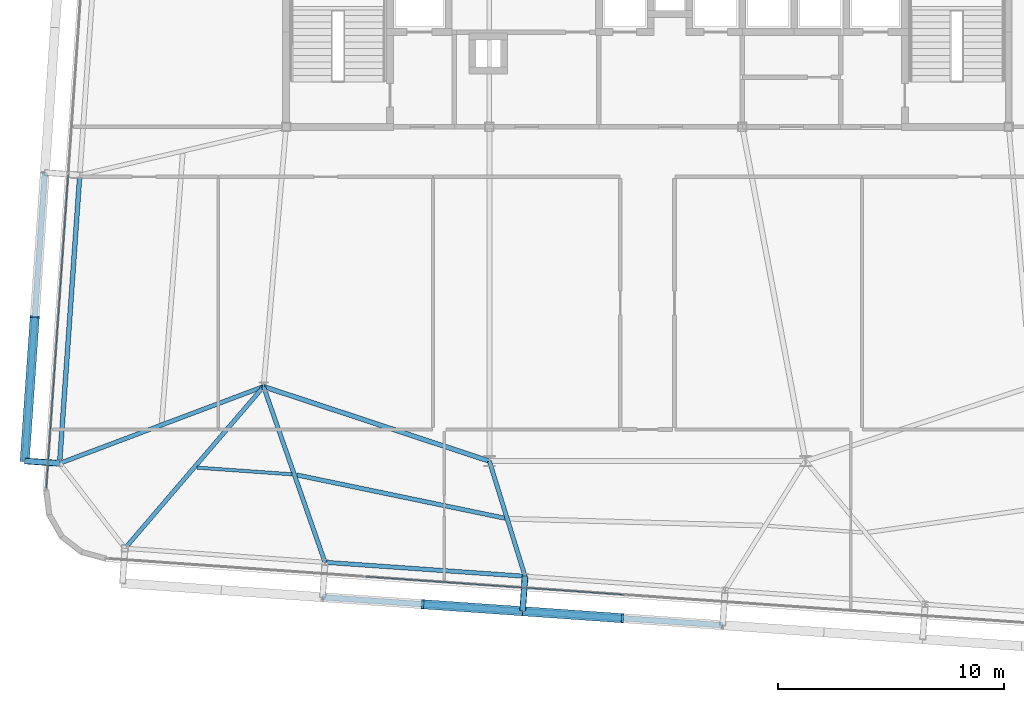
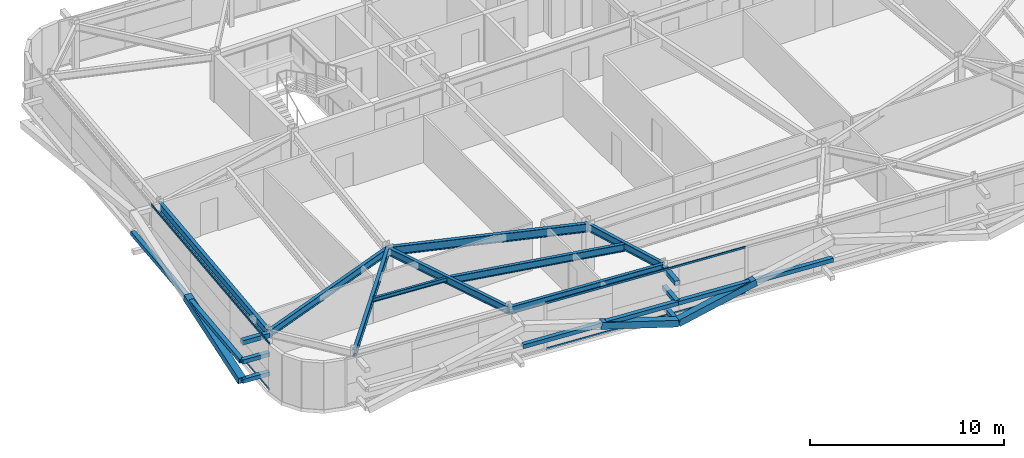
# One storey, part 8 of 39: 16 members, 9 beams, 2 elements without a shape of their own.
"""IFC4 building model written with IfcOpenShell, lengths in metres."""

from ifc_helpers import new_model, si_unit, direction, frame, origin, origin_2d, place, context, subcontext, project, spatial, hollow_rectangle, i_section, extrude, source, transform, mapped, material, layer, layer_set, material_profile, profile_set, type_object, element, aggregate, save


model = new_model("IFC4")

# Units and contexts
model_context = context("Model", 3, precision=1e-05, world=origin(), true_north=direction((0.0, 1.0)))
body_context = subcontext(model_context, "Body", "Model", "MODEL_VIEW")
ifc_project = project(units=[si_unit("LENGTHUNIT", "METRE"), si_unit("AREAUNIT", "SQUARE_METRE"), si_unit("VOLUMEUNIT", "CUBIC_METRE"), si_unit("PLANEANGLEUNIT", "RADIAN"), si_unit("MASSUNIT", "GRAM", prefix="KILO")], contexts=[model_context])

# Site, building, storey
site_placement = place(None, origin())
site = spatial("IfcSite", under=ifc_project, at=site_placement, CompositionType="ELEMENT")
building_placement = place(site_placement, origin())
building = spatial("IfcBuilding", under=site, at=building_placement, Name="Taldren Reach Tower", CompositionType="ELEMENT")
storey_placement = place(building_placement, frame((0.0, 0.0, 126.699951171875)))
storey = spatial("IfcBuildingStorey", under=building, at=storey_placement, Name="L38", CompositionType="ELEMENT", Elevation=126.699951171875)

# Beam
ifc_material_1 = material(Name="Steel Gr 350 (350PLUS)", Category="steel")
ifc_material_profile_1 = material_profile(ifc_material_1, i_section(OverallWidth=0.208984375, OverallDepth=0.532958984375, WebThickness=0.01025390625, FlangeThickness=0.015625, at=origin_2d()), Name="530UB92.4")
ifc_profile_set_1 = profile_set([ifc_material_profile_1], Name="Steel Gr 350 (350PLUS)")
beam_type_1 = type_object("IfcBeamType", Name="BM-UB530A", PredefinedType="BEAM", material=ifc_profile_set_1)
shared_shape_1 = source(origin(), body_context, "Body", "SweptSolid", [
    extrude(i_section(OverallWidth=0.208984375, OverallDepth=0.532958984375, WebThickness=0.01025390625, FlangeThickness=0.015625, at=origin_2d()), origin(), (0.0, 0.0, 1.0), 10.530517578125),
])
beam_1_placement = place(storey_placement, frame((18.0, 12.5, 2.66357421875), z_axis=(0.949627269203, -0.313381635689, 0.0), x_axis=(0.313381635689, 0.949627269203, 0.0)))
element("IfcBeam", 1, at=beam_1_placement, inside=storey, type_object=beam_type_1, Name="Core-spine girder L38-SP10", PredefinedType="BEAM", context=body_context, shape_type="MappedRepresentation", body=[
    mapped(shared_shape_1, transform((0.0, 0.0, 0.0), scale=1.0)),
])

# Members
ifc_material_2 = material(Name="Steel Gr 450 (C450L0)", Category="steel")
ifc_material_profile_2 = material_profile(ifc_material_2, hollow_rectangle(XDim=0.27490234375, YDim=0.27490234375, WallThickness=0.00927734375, at=origin_2d()), Name="275x275x9.3SHS")
ifc_profile_set_2 = profile_set([ifc_material_profile_2], Name="Steel Gr 450 (C450L0)")
member_type_1 = type_object("IfcMemberType", Name="MB-TIE273", PredefinedType="STRUT", material=ifc_profile_set_2)
shared_shape_2 = source(origin(), body_context, "Body", "SweptSolid", [
    extrude(hollow_rectangle(XDim=0.27490234375, YDim=0.27490234375, WallThickness=0.00927734375, at=origin_2d()), origin(), (0.0, 0.0, 1.0), 1.5498046875),
])
member_1_placement = place(storey_placement, frame((8.96875, 9.099609375, 2.650146484375), z_axis=(-0.997573320145, 0.069623781384, 0.0), x_axis=(-0.069623781384, -0.997573320145, 0.0)))
element("IfcMember", 2, at=member_1_placement, inside=storey, type_object=member_type_1, Name="Exoskeleton diaphragm tie strut B3-W1 L38", PredefinedType="STRUT", context=body_context, shape_type="MappedRepresentation", body=[
    mapped(shared_shape_2, transform((0.0, 0.0, 0.0), scale=1.0)),
])
ifc_material_3 = material(Name="Steel Gr 350 (C350L0)", Category="steel")
ifc_material_profile_3 = material_profile(ifc_material_3, hollow_rectangle(XDim=0.25, YDim=0.25, WallThickness=0.010009765625, at=origin_2d()), Name="250x250x10.0SHS")
ifc_profile_set_3 = profile_set([ifc_material_profile_3], Name="Steel Gr 350 (C350L0)")
member_type_2 = type_object("IfcMemberType", Name="MB-POST250", PredefinedType="POST", material=ifc_profile_set_3)
shared_shape_3 = source(origin(), body_context, "Body", "SweptSolid", [
    extrude(hollow_rectangle(XDim=0.25, YDim=0.25, WallThickness=0.010009765625, at=origin_2d()), origin(), (0.0, 0.0, 1.0), 1.5498046875),
])
for number, where, z_axis, x_axis, name in (
    (3, (8.96875, 9.099609375, 0.219970703125), (-0.997573320145, 0.069623781384, 0.0), (-0.069623781384, -0.997573320145, 0.0), "Exoskeleton base diaphragm tie strut B3-W1 L38"),
    (4, (8.96875, 9.099609375, 1.43505859375), (-0.997573320145, 0.069623781384, 0.0), (-0.069623781384, -0.997573320145, 0.0), "Exoskeleton mid-tier diaphragm tie B3-W1 L38"),
):
    element("IfcMember", number, at=place(storey_placement, frame(where, z_axis=z_axis, x_axis=x_axis)), inside=storey, type_object=member_type_2, Name=name, PredefinedType="POST", context=body_context, shape_type="MappedRepresentation", body=[
        mapped(shared_shape_3, transform((0.0, 0.0, 0.0), scale=1.0)),
    ])
shared_shape_4 = source(origin(), body_context, "Body", "SweptSolid", [
    extrude(hollow_rectangle(XDim=0.27490234375, YDim=0.27490234375, WallThickness=0.00927734375, at=origin_2d()), origin(), (0.0, 0.0, 1.0), 1.550048828125),
])
member_2_placement = place(storey_placement, frame((29.580322265625, 4.099609375, 2.650146484375), z_axis=(-0.06976957191, -0.99756313426, 0.0), x_axis=(0.99756313426, -0.06976957191, 0.0)))
element("IfcMember", 5, at=member_2_placement, inside=storey, type_object=member_type_1, Name="Exoskeleton diaphragm tie strut B3-S3 L38", PredefinedType="STRUT", context=body_context, shape_type="MappedRepresentation", body=[
    mapped(shared_shape_4, transform((0.0, 0.0, 0.0), scale=1.0)),
])
shared_shape_5 = source(origin(), body_context, "Body", "SweptSolid", [
    extrude(hollow_rectangle(XDim=0.25, YDim=0.25, WallThickness=0.010009765625, at=origin_2d()), origin(), (0.0, 0.0, 1.0), 1.550048828125),
])
for number, where, z_axis, x_axis, name in (
    (6, (29.580322265625, 4.099609375, 0.219970703125), (-0.06976957191, -0.99756313426, 0.0), (0.99756313426, -0.06976957191, 0.0), "Exoskeleton base diaphragm tie strut B3-S3 L38"),
    (7, (29.580322265625, 4.099609375, 1.43505859375), (-0.06976957191, -0.99756313426, 0.0), (0.99756313426, -0.06976957191, 0.0), "Exoskeleton mid-tier diaphragm tie B3-S3 L38"),
):
    element("IfcMember", number, at=place(storey_placement, frame(where, z_axis=z_axis, x_axis=x_axis)), inside=storey, type_object=member_type_2, Name=name, PredefinedType="POST", context=body_context, shape_type="MappedRepresentation", body=[
        mapped(shared_shape_5, transform((0.0, 0.0, 0.0), scale=1.0)),
    ])

# Beams
ifc_material_profile_4 = material_profile(ifc_material_1, i_section(OverallWidth=0.18994140625, OverallDepth=0.4541015625, WebThickness=0.008544921875, FlangeThickness=0.0126953125, at=origin_2d()), Name="460UB67.1")
ifc_profile_set_4 = profile_set([ifc_material_profile_4], Name="Steel Gr 350 (350PLUS)")
beam_type_2 = type_object("IfcBeamType", Name="SP-UB460B", PredefinedType="SPANDREL", material=ifc_profile_set_4)
shared_shape_6 = source(origin(), body_context, "Body", "SweptSolid", [
    extrude(i_section(OverallWidth=0.18994140625, OverallDepth=0.4541015625, WebThickness=0.008544921875, FlangeThickness=0.0126953125, at=origin_2d()), origin(), (0.0, 0.0, 1.0), 8.880126953125),
])
beam_2_placement = place(storey_placement, frame((20.721923828125, 4.718994140625, 2.703125), z_axis=(0.997564479639, -0.069750333063, 0.0), x_axis=(0.069750333063, 0.997564479639, 0.0)))
element("IfcBeam", 8, at=beam_2_placement, inside=storey, type_object=beam_type_2, Name="Perimeter spandrel B3 S2-S3 L38", PredefinedType="SPANDREL", context=body_context, shape_type="MappedRepresentation", body=[
    mapped(shared_shape_6, transform((0.0, 0.0, 0.0), scale=1.0)),
])
ifc_material_profile_5 = material_profile(ifc_material_1, i_section(OverallWidth=0.208984375, OverallDepth=0.528076171875, WebThickness=0.009521484375, FlangeThickness=0.01318359375, at=origin_2d()), Name="530UB82.0")
ifc_profile_set_5 = profile_set([ifc_material_profile_5], Name="Steel Gr 350 (350PLUS)")
beam_type_3 = type_object("IfcBeamType", Name="SP-UB530B", PredefinedType="SPANDREL", material=ifc_profile_set_5)
shared_shape_7 = source(origin(), body_context, "Body", "SweptSolid", [
    extrude(i_section(OverallWidth=0.208984375, OverallDepth=0.528076171875, WebThickness=0.009521484375, FlangeThickness=0.01318359375, at=origin_2d()), origin(), (0.0, 0.0, 1.0), 12.800048828125),
])
beam_3_placement = place(storey_placement, frame((9.86181640625, 21.868408203125, 2.666015625), z_axis=(-0.069770857464, -0.997563044348, 0.0), x_axis=(0.997563044348, -0.069770857464, 0.0)))
element("IfcBeam", 9, at=beam_3_placement, inside=storey, type_object=beam_type_3, Name="Perimeter spandrel B3 W2-W1 L38", PredefinedType="SPANDREL", context=body_context, shape_type="MappedRepresentation", body=[
    mapped(shared_shape_7, transform((0.0, 0.0, 0.0), scale=1.0)),
])
ifc_material_profile_6 = material_profile(ifc_material_1, i_section(OverallWidth=0.19091796875, OverallDepth=0.4599609375, WebThickness=0.010009765625, FlangeThickness=0.01611328125, at=origin_2d()), Name="460UB82.1")
ifc_profile_set_6 = profile_set([ifc_material_profile_6], Name="Steel Gr 350 (350PLUS)")
beam_type_4 = type_object("IfcBeamType", Name="BM-UB460A", PredefinedType="BEAM", material=ifc_profile_set_6)
shared_shape_8 = source(origin(), body_context, "Body", "SweptSolid", [
    extrude(i_section(OverallWidth=0.19091796875, OverallDepth=0.4599609375, WebThickness=0.010009765625, FlangeThickness=0.01611328125, at=origin_2d()), origin(), (0.0, 0.0, 1.0), 9.43115234375),
])
beam_4_placement = place(storey_placement, frame((18.0, 12.5, 2.699951171875), z_axis=(-0.650665584965, -0.759364402999, 0.0), x_axis=(0.759364402999, -0.650665584965, 0.0)))
element("IfcBeam", 10, at=beam_4_placement, inside=storey, type_object=beam_type_4, Name="Primary floor girder B3-S1 L38", PredefinedType="BEAM", context=body_context, shape_type="MappedRepresentation", body=[
    mapped(shared_shape_8, transform((0.0, 0.0, 0.0), scale=1.0)),
])
shared_shape_9 = source(origin(), body_context, "Body", "SweptSolid", [
    extrude(i_section(OverallWidth=0.19091796875, OverallDepth=0.4599609375, WebThickness=0.010009765625, FlangeThickness=0.01611328125, at=origin_2d()), origin(), (0.0, 0.0, 1.0), 8.243408203125),
])
beam_5_placement = place(storey_placement, frame((18.0, 12.5, 2.699951171875), z_axis=(0.330196070713, -0.943912366105, 0.0), x_axis=(0.943912366105, 0.330196070713, 0.0)))
element("IfcBeam", 11, at=beam_5_placement, inside=storey, type_object=beam_type_4, Name="Primary floor girder B3-S2 L38", PredefinedType="BEAM", context=body_context, shape_type="MappedRepresentation", body=[
    mapped(shared_shape_9, transform((0.0, 0.0, 0.0), scale=1.0)),
])
shared_shape_10 = source(origin(), body_context, "Body", "SweptSolid", [
    extrude(i_section(OverallWidth=0.19091796875, OverallDepth=0.4599609375, WebThickness=0.010009765625, FlangeThickness=0.01611328125, at=origin_2d()), origin(), (0.0, 0.0, 1.0), 5.339599609375),
])
beam_6_placement = place(storey_placement, frame((28.0, 9.199951171875, 2.699951171875), z_axis=(0.295964865482, -0.955198826632, 0.0), x_axis=(0.955198826632, 0.295964865482, 0.0)))
element("IfcBeam", 12, at=beam_6_placement, inside=storey, type_object=beam_type_4, Name="Primary floor girder B3-S3 L38", PredefinedType="BEAM", context=body_context, shape_type="MappedRepresentation", body=[
    mapped(shared_shape_10, transform((0.0, 0.0, 0.0), scale=1.0)),
])
shared_shape_11 = source(origin(), body_context, "Body", "SweptSolid", [
    extrude(i_section(OverallWidth=0.19091796875, OverallDepth=0.4599609375, WebThickness=0.010009765625, FlangeThickness=0.01611328125, at=origin_2d()), origin(), (0.0, 0.0, 1.0), 9.650146484375),
])
beam_7_placement = place(storey_placement, frame((18.0, 12.5, 2.699951171875), z_axis=(-0.935862573906, -0.352365212191, 0.0), x_axis=(0.352365212191, -0.935862573906, 0.0)))
element("IfcBeam", 13, at=beam_7_placement, inside=storey, type_object=beam_type_4, Name="Primary floor girder B3-W1 L38", PredefinedType="BEAM", context=body_context, shape_type="MappedRepresentation", body=[
    mapped(shared_shape_11, transform((0.0, 0.0, 0.0), scale=1.0)),
])
ifc_material_4 = material(Name="Steel Gr 300 (300PLUS, 300 MPa)", Category="steel")
ifc_material_profile_7 = material_profile(ifc_material_4, i_section(OverallWidth=0.14599609375, OverallDepth=0.256103515625, WebThickness=0.00634765625, FlangeThickness=0.010986328125, at=origin_2d()), Name="250UB37.3")
ifc_profile_set_7 = profile_set([ifc_material_profile_7], Name="Steel Gr 300 (300PLUS, 300 MPa)")
beam_type_5 = type_object("IfcBeamType", Name="JS-UB250", PredefinedType="JOIST", material=ifc_profile_set_7)
shared_shape_12 = source(origin(), body_context, "Body", "SweptSolid", [
    extrude(i_section(OverallWidth=0.14599609375, OverallDepth=0.256103515625, WebThickness=0.00634765625, FlangeThickness=0.010986328125, at=origin_2d()), origin(), (0.0, 0.0, 1.0), 4.217041015625),
])
beam_8_placement = place(storey_placement, frame((15.050537109375, 8.910888671875, 2.802001953125), z_axis=(0.997563683226, -0.069761722378, 0.0), x_axis=(0.069761722378, 0.997563683226, 0.0)))
element("IfcBeam", 14, at=beam_8_placement, inside=storey, type_object=beam_type_5, Name="Secondary floor joist B3 J1 L38", PredefinedType="JOIST", context=body_context, shape_type="MappedRepresentation", body=[
    mapped(shared_shape_12, transform((0.0, 0.0, 0.0), scale=1.0)),
])
shared_shape_13 = source(origin(), body_context, "Body", "SweptSolid", [
    extrude(i_section(OverallWidth=0.19091796875, OverallDepth=0.4599609375, WebThickness=0.010009765625, FlangeThickness=0.01611328125, at=origin_2d()), origin(), (0.0, 0.0, 1.0), 9.410400390625),
])
beam_9_placement = place(storey_placement, frame((19.469970703125, 8.5869140625, 2.699951171875), z_axis=(0.97907399109, -0.20350459447, 0.0), x_axis=(0.20350459447, 0.97907399109, 0.0)))
element("IfcBeam", 15, at=beam_9_placement, inside=storey, type_object=beam_type_4, Name="Secondary floor beam B3 J2 L38", PredefinedType="BEAM", context=body_context, shape_type="MappedRepresentation", body=[
    mapped(shared_shape_13, transform((0.0, 0.0, 0.0), scale=1.0)),
])

# Members
shared_shape_14 = source(origin(), body_context, "Body", "SweptSolid", [
    extrude(hollow_rectangle(XDim=0.25, YDim=0.25, WallThickness=0.010009765625, at=origin_2d()), origin(), (0.0, 0.0, 1.0), 8.880126953125),
])
for number, where, z_axis, x_axis, name in (
    (16, (20.61376953125, 3.1728515625, 1.43505859375), (0.997562566276, -0.06977769246, 0.0), (0.06977769246, 0.997562566276, 0.0), "Exoskeleton mid-height ring chord B3-S2 L38"),
    (17, (29.47216796875, 2.55322265625, 1.43505859375), (0.997564479639, -0.069750333063, 0.0), (0.069750333063, 0.997564479639, 0.0), "Exoskeleton mid-height ring chord B3-S3 L38"),
):
    element("IfcMember", number, at=place(storey_placement, frame(where, z_axis=z_axis, x_axis=x_axis)), inside=storey, type_object=member_type_2, Name=name, PredefinedType="POST", context=body_context, shape_type="MappedRepresentation", body=[
        mapped(shared_shape_14, transform((0.0, 0.0, 0.0), scale=1.0)),
    ])
shared_shape_15 = source(origin(), body_context, "Body", "SweptSolid", [
    extrude(hollow_rectangle(XDim=0.25, YDim=0.25, WallThickness=0.010009765625, at=origin_2d()), origin(), (0.0, 0.0, 1.0), 12.80029296875),
])
member_3_placement = place(storey_placement, frame((7.422607421875, 9.20751953125, 1.43505859375), z_axis=(0.069750549628, 0.997564464497, 0.0), x_axis=(-0.997564464497, 0.069750549628, 0.0)))
element("IfcMember", 18, at=member_3_placement, inside=storey, type_object=member_type_2, Name="Exoskeleton mid-height ring chord B3-W1 L38", PredefinedType="POST", context=body_context, shape_type="MappedRepresentation", body=[
    mapped(shared_shape_15, transform((0.0, 0.0, 0.0), scale=1.0)),
])
ifc_material_profile_8 = material_profile(ifc_material_2, hollow_rectangle(XDim=0.409912109375, YDim=0.409912109375, WallThickness=0.01611328125, at=origin_2d()), Name="410x410x16.0SHS")
ifc_profile_set_8 = profile_set([ifc_material_profile_8], Name="Steel Gr 450 (C450L0)")
member_type_3 = type_object("IfcMemberType", Name="MB-EXO406", PredefinedType="BRACE", material=ifc_profile_set_8)
shared_shape_16 = source(origin(), body_context, "Body", "SweptSolid", [
    extrude(hollow_rectangle(XDim=0.409912109375, YDim=0.409912109375, WallThickness=0.01611328125, at=origin_2d()), origin(), (0.0, 0.0, 1.0), 4.603271484375),
])
for number, where, z_axis, x_axis, name in (
    (19, (29.47216796875, 2.55322265625, 0.219970703125), (-0.962182351074, 0.067302910567, 0.263961060594), (-0.06977769246, -0.997562566276, 0.0), "Exoskeleton Diagrid Brace B3-S2 L38"),
    (20, (29.47216796875, 2.55322265625, 0.219970703125), (0.962185784239, -0.067250114343, 0.263962002434), (0.069722973508, 0.997566392259, 0.0), "Exoskeleton Diagrid Brace B3-S3 L38"),
):
    element("IfcMember", number, at=place(storey_placement, frame(where, z_axis=z_axis, x_axis=x_axis)), inside=storey, type_object=member_type_3, Name=name, PredefinedType="BRACE", context=body_context, shape_type="MappedRepresentation", body=[
        mapped(shared_shape_16, transform((0.0, 0.0, 0.0), scale=1.0)),
    ])
shared_shape_17 = source(origin(), body_context, "Body", "SweptSolid", [
    extrude(hollow_rectangle(XDim=0.409912109375, YDim=0.409912109375, WallThickness=0.01611328125, at=origin_2d()), origin(), (0.0, 0.0, 1.0), 6.514404296875),
])
member_4_placement = place(storey_placement, frame((7.422607421875, 9.20751953125, 0.219970703125), z_axis=(0.068545126831, 0.980056649402, 0.186522195865), x_axis=(-0.997563137195, 0.069769529958, 0.0)))
element("IfcMember", 21, at=member_4_placement, inside=storey, type_object=member_type_3, Name="Exoskeleton Diagrid Brace B3-W1 L38", PredefinedType="BRACE", context=body_context, shape_type="MappedRepresentation", body=[
    mapped(shared_shape_17, transform((0.0, 0.0, 0.0), scale=1.0)),
])

# Curtain wall, members
ifc_material_5 = material(Name="Aluminium and Low-E Glass Unitised System", Category="aluminium")
ifc_layer = layer(ifc_material_5, 0.159912109375)
ifc_layer_set = layer_set([ifc_layer], Name="Aluminium and Low-E Glass Unitised System")
curtain_wall_type = type_object("IfcCurtainWallType", Name="CW-SYS-4", PredefinedType="NOTDEFINED", material=ifc_layer_set)
curtain_wall_1_placement = place(storey_placement, origin())
curtain_wall_1 = element("IfcCurtainWall", 22, at=curtain_wall_1_placement, inside=storey, type_object=curtain_wall_type, Name="Unitised curtain wall CW-L38-S", PredefinedType="NOTDEFINED")
ifc_material_6 = material(Name="Anodised Aluminium 6063-T6", Category="aluminium")
ifc_material_profile_9 = material_profile(ifc_material_6, hollow_rectangle(XDim=0.054931640625, YDim=0.1201171875, WallThickness=0.0029296875, at=origin_2d()), Name="ALU-120x55x3RHS")
ifc_profile_set_9 = profile_set([ifc_material_profile_9], Name="Anodised Aluminium 6063-T6")
member_type_4 = type_object("IfcMemberType", Name="CW-TRN-135", PredefinedType="USERDEFINED", material=ifc_profile_set_9)
shared_shape_18 = source(origin(), body_context, "Body", "SweptSolid", [
    extrude(hollow_rectangle(XDim=0.054931640625, YDim=0.1201171875, WallThickness=0.0029296875, at=origin_2d()), origin(), (0.0, 0.0, 1.0), 11.429931640625),
])
member_5_placement = place(storey_placement, frame((22.536865234375, 4.080810546875, 0.027587890625), z_axis=(0.997563740938, -0.069760897114, 0.0), x_axis=(0.069760897114, 0.997563740938, 0.0)))
member_5 = element("IfcMember", 23, at=member_5_placement, type_object=member_type_4, Name="CW-4 transom 2.1", ObjectType="TRANSOM", PredefinedType="USERDEFINED", context=body_context, shape_type="MappedRepresentation", body=[
    mapped(shared_shape_18, transform((0.0, 0.0, 0.0), scale=1.0)),
])
member_6_placement = place(storey_placement, frame((22.536865234375, 4.080810546875, 2.902587890625), z_axis=(0.997563740938, -0.069760897114, 0.0), x_axis=(0.069760897114, 0.997563740938, 0.0)))
member_6 = element("IfcMember", 24, at=member_6_placement, type_object=member_type_4, Name="CW-4 transom 2.2", ObjectType="TRANSOM", PredefinedType="USERDEFINED", context=body_context, shape_type="MappedRepresentation", body=[
    mapped(shared_shape_18, transform((0.0, 0.0, 0.0), scale=1.0)),
])
aggregate(curtain_wall_1, [member_5, member_6])

curtain_wall_2_placement = place(storey_placement, origin())
curtain_wall_2 = element("IfcCurtainWall", 25, at=curtain_wall_2_placement, inside=storey, type_object=curtain_wall_type, Name="Unitised curtain wall CW-L38-W", PredefinedType="NOTDEFINED")
shared_shape_19 = source(origin(), body_context, "Body", "SweptSolid", [
    extrude(hollow_rectangle(XDim=0.054931640625, YDim=0.1201171875, WallThickness=0.0029296875, at=origin_2d()), origin(), (0.0, 0.0, 1.0), 13.89501953125),
])
member_7_placement = place(storey_placement, frame((9.3505859375, 21.868896484375, 0.027587890625), z_axis=(-0.069754817075, -0.997564166104, 0.0), x_axis=(0.997564166104, -0.069754817075, 0.0)))
member_7 = element("IfcMember", 26, at=member_7_placement, type_object=member_type_4, Name="CW-4 transom 2.1", ObjectType="TRANSOM", PredefinedType="USERDEFINED", context=body_context, shape_type="MappedRepresentation", body=[
    mapped(shared_shape_19, transform((0.0, 0.0, 0.0), scale=1.0)),
])
member_8_placement = place(storey_placement, frame((9.3505859375, 21.868896484375, 2.902587890625), z_axis=(-0.069754817075, -0.997564166104, 0.0), x_axis=(0.997564166104, -0.069754817075, 0.0)))
member_8 = element("IfcMember", 27, at=member_8_placement, type_object=member_type_4, Name="CW-4 transom 2.2", ObjectType="TRANSOM", PredefinedType="USERDEFINED", context=body_context, shape_type="MappedRepresentation", body=[
    mapped(shared_shape_19, transform((0.0, 0.0, 0.0), scale=1.0)),
])
aggregate(curtain_wall_2, [member_7, member_8])

save(model, "model.ifc")
